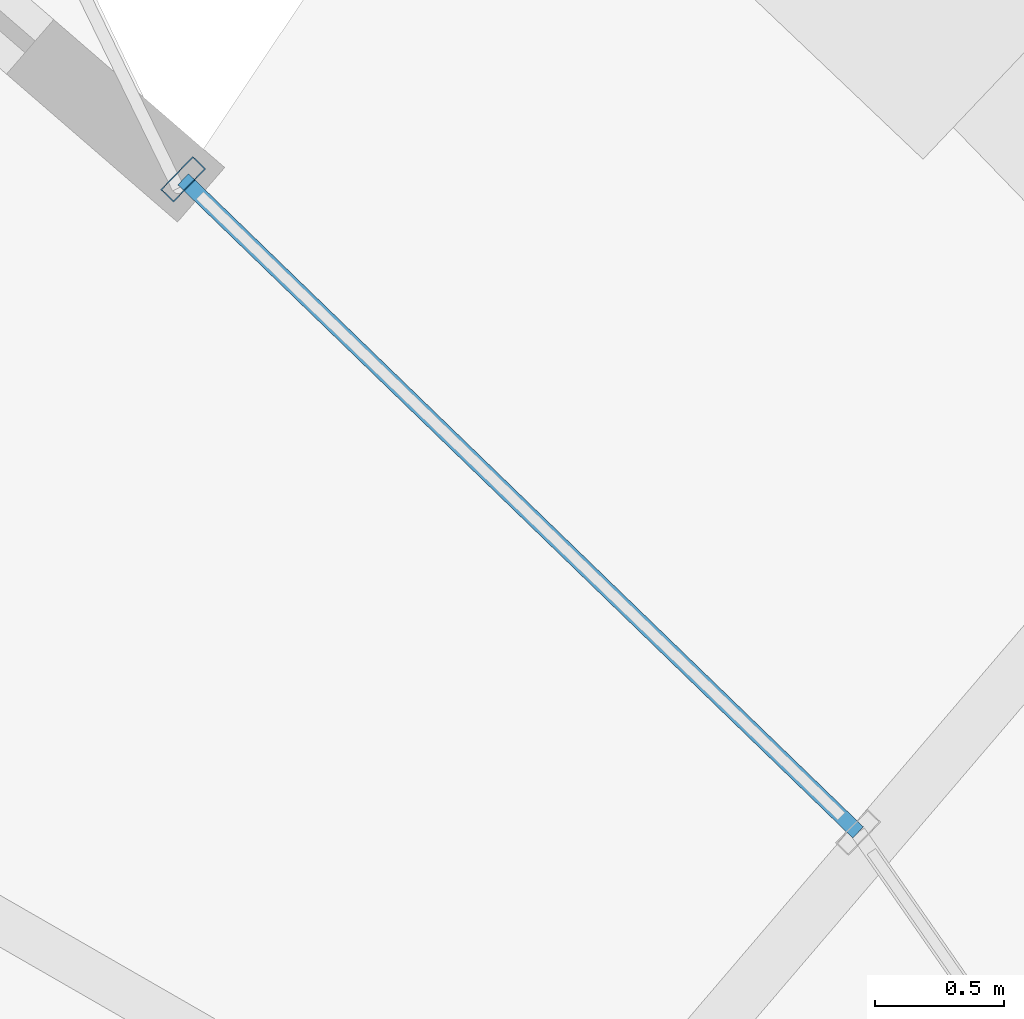
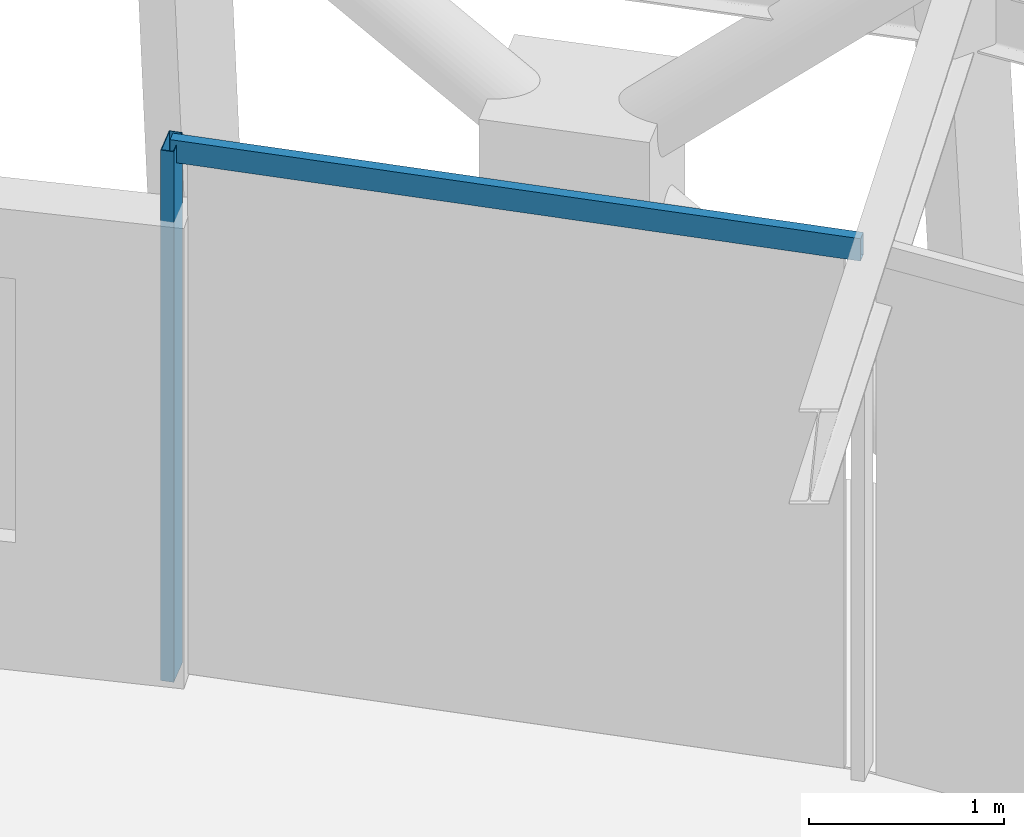
# One storey, part 7 of 15: 2 members, 1 element without a shape of its own.
"""IFC4 building model written with IfcOpenShell, lengths in metres."""

from ifc_helpers import new_model, si_unit, direction, frame, origin, origin_2d, place, context, subcontext, project, spatial, hollow_rectangle, extrude, material, layer, layer_set, material_profile, profile_set, type_object, element, aggregate, save


model = new_model("IFC4")

# Units and contexts
model_context = context("Model", 3, precision=1e-05, world=origin(), true_north=direction((0.0, 1.0)))
body_context = subcontext(model_context, "Body", "Model", "MODEL_VIEW")
ifc_project = project(units=[si_unit("LENGTHUNIT", "METRE"), si_unit("AREAUNIT", "SQUARE_METRE"), si_unit("VOLUMEUNIT", "CUBIC_METRE"), si_unit("PLANEANGLEUNIT", "RADIAN"), si_unit("MASSUNIT", "GRAM", prefix="KILO")], contexts=[model_context])

# Site, building, storey
site_placement = place(None, origin())
site = spatial("IfcSite", under=ifc_project, at=site_placement, CompositionType="ELEMENT")
building_placement = place(site_placement, origin())
building = spatial("IfcBuilding", under=site, at=building_placement, Name="Veldorina Hangang Commons", CompositionType="ELEMENT")
storey_placement = place(building_placement, frame((0.0, 0.0, 290.39990234375)))
storey = spatial("IfcBuildingStorey", under=building, at=storey_placement, Name="L76", CompositionType="ELEMENT", Elevation=290.39990234375)

# Curtain wall, members
ifc_material_1 = material(Name="Glass Low-E Selective", Category="glass")
ifc_layer = layer(ifc_material_1, 0.179931640625)
ifc_layer_set = layer_set([ifc_layer], Name="Glass Low-E Selective")
curtain_wall_type = type_object("IfcCurtainWallType", Name="CW-SYS-Z3", PredefinedType="NOTDEFINED", material=ifc_layer_set)
curtain_wall_placement = place(storey_placement, origin())
curtain_wall = element("IfcCurtainWall", 1, at=curtain_wall_placement, inside=storey, type_object=curtain_wall_type, Name="L76 unitised curtain wall CW-L76-R1", PredefinedType="NOTDEFINED")
ifc_material_2 = material(Name="Aluminium Anodized AA6063-T6", Category="aluminium")
ifc_material_profile_1 = material_profile(ifc_material_2, hollow_rectangle(XDim=0.070068359375, YDim=0.179931640625, WallThickness=0.00390625, at=origin_2d()), Name="ALU-RHS-180x70x4")
ifc_profile_set_1 = profile_set([ifc_material_profile_1], Name="Aluminium Anodized AA6063-T6")
member_type_1 = type_object("IfcMemberType", Name="CW-MUL-180", PredefinedType="MULLION", material=ifc_profile_set_1)
member_1_placement = place(storey_placement, frame((41.612060546875, 40.965576171875, 0.0), z_axis=(0.0, 0.0, 1.0), x_axis=(0.718551272686, -0.695473988386, 0.0)))
member_1 = element("IfcMember", 2, at=member_1_placement, type_object=member_type_1, Name="CW-L76-R1 vertical mullion 4", PredefinedType="MULLION", context=body_context, shape_type="SweptSolid", body=[
    extrude(hollow_rectangle(XDim=0.070068359375, YDim=0.179931640625, WallThickness=0.00390625, at=origin_2d()), origin(), (0.0, 0.0, 1.0), 3.320068359375),
])
ifc_material_profile_2 = material_profile(ifc_material_2, hollow_rectangle(XDim=0.06005859375, YDim=0.139892578125, WallThickness=0.00341796875, at=origin_2d()), Name="ALU-RHS-140x60x3.5")
ifc_profile_set_2 = profile_set([ifc_material_profile_2], Name="Aluminium Anodized AA6063-T6")
member_type_2 = type_object("IfcMemberType", Name="CW-TRN-140", PredefinedType="USERDEFINED", material=ifc_profile_set_2)
member_2_placement = place(storey_placement, frame((44.23388671875, 38.427978515625, 3.280029296875), z_axis=(-0.718554680552, 0.695470467423, 0.0), x_axis=(-0.695470467423, -0.718554680552, 0.0)))
member_2 = element("IfcMember", 3, at=member_2_placement, type_object=member_type_2, Name="CW-L76-R1 facet 5 transom 1", ObjectType="TRANSOM", PredefinedType="USERDEFINED", context=body_context, shape_type="SweptSolid", body=[
    extrude(hollow_rectangle(XDim=0.06005859375, YDim=0.139892578125, WallThickness=0.00341796875, at=origin_2d()), origin(), (0.0, 0.0, 1.0), 3.648681640625),
])
aggregate(curtain_wall, [member_1, member_2])

save(model, "model.ifc")
